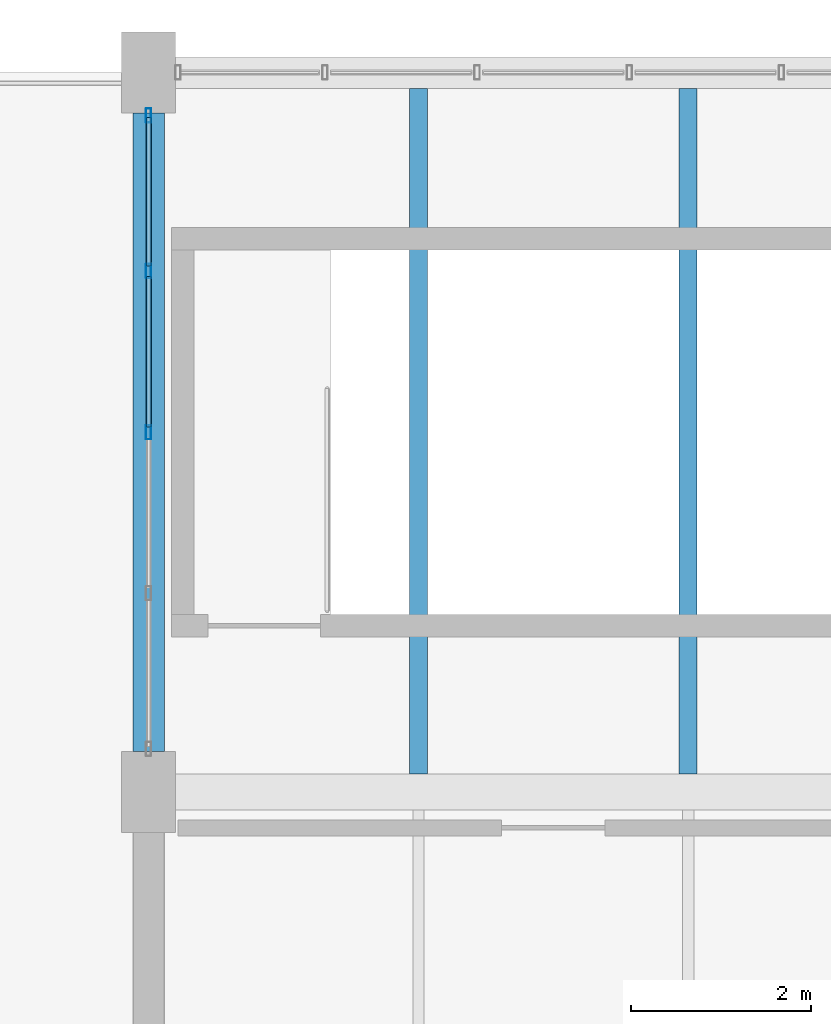
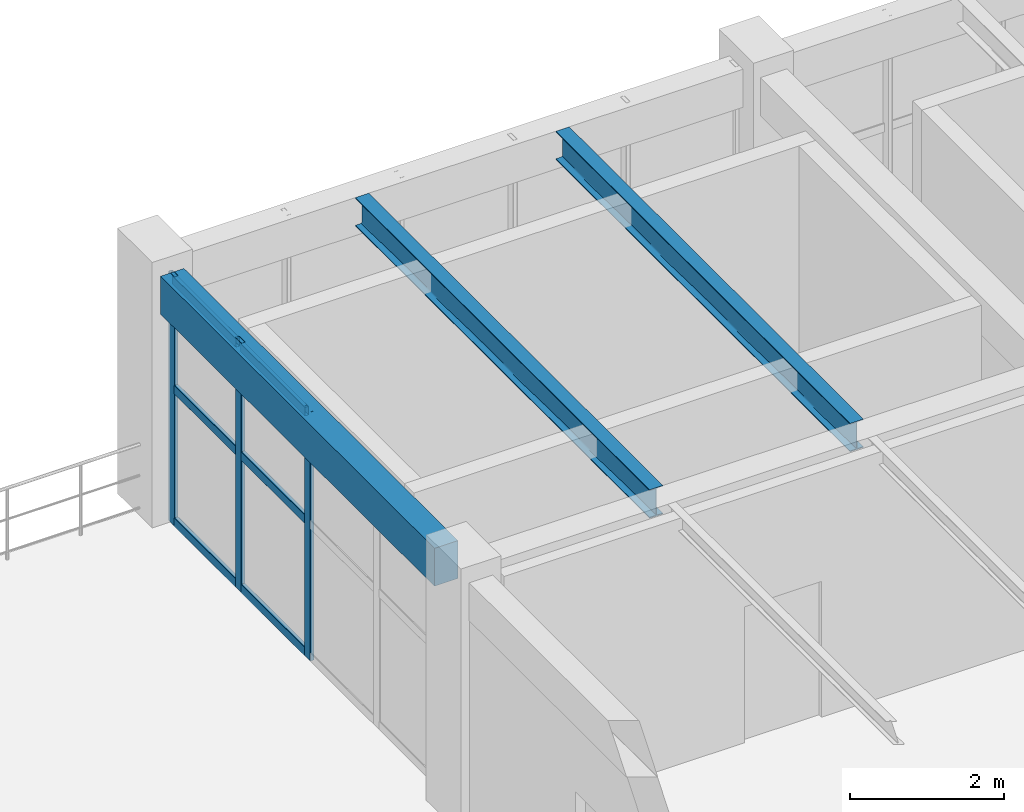
# One storey, part 63 of 148: 9 members, 3 beams, 1 element without a shape of its own.
"""IFC4 building model written with IfcOpenShell, lengths in metres."""

from ifc_helpers import new_model, si_unit, derived_unit, direction, frame, origin, origin_2d, place, context, subcontext, project, spatial, rectangle, hollow_rectangle, i_section, extrude, material, material_profile, profile_set, type_object, element, aggregate, save


model = new_model("IFC4")

# Units and contexts
model_context = context("Model", 3, precision=1e-05, world=origin(), true_north=direction((0.0, 1.0)))
body_context = subcontext(model_context, "Body", "Model", "MODEL_VIEW")
ifc_project = project(units=[si_unit("LENGTHUNIT", "METRE"), si_unit("AREAUNIT", "SQUARE_METRE"), si_unit("VOLUMEUNIT", "CUBIC_METRE"), si_unit("PLANEANGLEUNIT", "RADIAN"), si_unit("MASSUNIT", "GRAM", prefix="KILO"), derived_unit("THERMALTRANSMITTANCEUNIT", [(si_unit("MASSUNIT", "GRAM", prefix="KILO"), 1), (si_unit("TIMEUNIT", "SECOND"), -3), (si_unit("THERMODYNAMICTEMPERATUREUNIT", "KELVIN"), -1)])], contexts=[model_context])

# Site, building, storey
site_placement = place(None, origin())
site = spatial("IfcSite", under=ifc_project, at=site_placement, CompositionType="ELEMENT")
building_placement = place(site_placement, origin())
building = spatial("IfcBuilding", under=site, at=building_placement, Name="Zhenchuan Archway Interchange", CompositionType="ELEMENT")
storey_placement = place(building_placement, frame((0.0, 0.0, 10.199951171875)))
storey = spatial("IfcBuildingStorey", under=building, at=storey_placement, Name="L02", CompositionType="ELEMENT", Elevation=10.199951171875)

# Curtain wall, members
ifc_material_1 = material(Name="Anodised Aluminium", Category="aluminium")
curtain_wall_type = type_object("IfcCurtainWallType", Name="CW_UNIT_3", PredefinedType="NOTDEFINED", material=ifc_material_1)
curtain_wall_placement = place(storey_placement, origin())
curtain_wall = element("IfcCurtainWall", 1, at=curtain_wall_placement, inside=storey, type_object=curtain_wall_type, Name="Unitised curtain wall CW:L02:138", PredefinedType="NOTDEFINED")
ifc_material_profile_1 = material_profile(ifc_material_1, hollow_rectangle(XDim=0.06005859375, YDim=0.159912109375, WallThickness=0.00390625, InnerFilletRadius=0.00390625, OuterFilletRadius=0.008056640625, at=origin_2d()), Name="ALU 160x60x4")
ifc_profile_set_1 = profile_set([ifc_material_profile_1], Name="Anodised Aluminium")
member_type_1 = type_object("IfcMemberType", Name="CW_MUL_150", PredefinedType="MULLION", material=ifc_profile_set_1)
member_1_placement = place(storey_placement, frame((9.0, 108.0, 0.0), z_axis=(0.0, 0.0, 1.0), x_axis=(1.0, 0.0, 0.0)))
member_1 = element("IfcMember", 2, at=member_1_placement, type_object=member_type_1, Name="CW:L02:138 mullion 2", PredefinedType="MULLION", context=body_context, shape_type="SweptSolid", body=[
    extrude(hollow_rectangle(XDim=0.06005859375, YDim=0.159912109375, WallThickness=0.00390625, InnerFilletRadius=0.00390625, OuterFilletRadius=0.008056640625, at=origin_2d()), origin(), (0.0, 0.0, 1.0), 3.93994140625),
])
member_2_placement = place(storey_placement, frame((9.0, 109.791015625, 0.0), z_axis=(0.0, 0.0, 1.0), x_axis=(1.0, 0.0, 0.0)))
member_2 = element("IfcMember", 3, at=member_2_placement, type_object=member_type_1, Name="CW:L02:138 mullion 3", PredefinedType="MULLION", context=body_context, shape_type="SweptSolid", body=[
    extrude(hollow_rectangle(XDim=0.06005859375, YDim=0.159912109375, WallThickness=0.00390625, InnerFilletRadius=0.00390625, OuterFilletRadius=0.008056640625, at=origin_2d()), origin(), (0.0, 0.0, 1.0), 3.93994140625),
])
member_3_placement = place(storey_placement, frame((9.0, 111.52197265625, 0.0), z_axis=(0.0, 0.0, 1.0), x_axis=(1.0, 0.0, 0.0)))
member_3 = element("IfcMember", 4, at=member_3_placement, type_object=member_type_1, Name="CW:L02:138 mullion 4", PredefinedType="MULLION", context=body_context, shape_type="SweptSolid", body=[
    extrude(hollow_rectangle(XDim=0.06005859375, YDim=0.159912109375, WallThickness=0.00390625, InnerFilletRadius=0.00390625, OuterFilletRadius=0.008056640625, at=origin_2d()), origin(), (0.0, 0.0, 1.0), 3.93994140625),
])
ifc_material_profile_2 = material_profile(ifc_material_1, hollow_rectangle(XDim=0.06005859375, YDim=0.139892578125, WallThickness=0.00341796875, InnerFilletRadius=0.00341796875, OuterFilletRadius=0.007080078125, at=origin_2d()), Name="ALU 140x60x3.5")
ifc_profile_set_2 = profile_set([ifc_material_profile_2], Name="Anodised Aluminium")
member_type_2 = type_object("IfcMemberType", Name="CW_TRN_140", PredefinedType="USERDEFINED", material=ifc_profile_set_2)
member_4_placement = place(storey_placement, frame((9.0, 108.06005859375, 0.06005859375), z_axis=(0.0, 1.0, 0.0), x_axis=(-1.0, 0.0, 0.0)))
member_4 = element("IfcMember", 5, at=member_4_placement, type_object=member_type_2, Name="CW:L02:138 transom 2-1", ObjectType="TRANSOM", PredefinedType="USERDEFINED", context=body_context, shape_type="SweptSolid", body=[
    extrude(hollow_rectangle(XDim=0.06005859375, YDim=0.139892578125, WallThickness=0.00341796875, InnerFilletRadius=0.00341796875, OuterFilletRadius=0.007080078125, at=origin_2d()), origin(), (0.0, 0.0, 1.0), 1.6708984375),
])
member_5_placement = place(storey_placement, frame((9.0, 108.06005859375, 2.156005859375), z_axis=(0.0, 1.0, 0.0), x_axis=(-1.0, 0.0, 0.0)))
member_5 = element("IfcMember", 6, at=member_5_placement, type_object=member_type_2, Name="CW:L02:138 transom 2-2", ObjectType="TRANSOM", PredefinedType="USERDEFINED", context=body_context, shape_type="SweptSolid", body=[
    extrude(hollow_rectangle(XDim=0.06005859375, YDim=0.139892578125, WallThickness=0.00341796875, InnerFilletRadius=0.00341796875, OuterFilletRadius=0.007080078125, at=origin_2d()), origin(), (0.0, 0.0, 1.0), 1.6708984375),
])
member_6_placement = place(storey_placement, frame((9.0, 108.06005859375, 3.860107421875), z_axis=(0.0, 1.0, 0.0), x_axis=(-1.0, 0.0, 0.0)))
member_6 = element("IfcMember", 7, at=member_6_placement, type_object=member_type_2, Name="CW:L02:138 transom 2-3", ObjectType="TRANSOM", PredefinedType="USERDEFINED", context=body_context, shape_type="SweptSolid", body=[
    extrude(hollow_rectangle(XDim=0.06005859375, YDim=0.139892578125, WallThickness=0.00341796875, InnerFilletRadius=0.00341796875, OuterFilletRadius=0.007080078125, at=origin_2d()), origin(), (0.0, 0.0, 1.0), 1.6708984375),
])
member_7_placement = place(storey_placement, frame((9.0, 109.85107421875, 0.06005859375), z_axis=(0.0, 1.0, 0.0), x_axis=(-1.0, 0.0, 0.0)))
member_7 = element("IfcMember", 8, at=member_7_placement, type_object=member_type_2, Name="CW:L02:138 transom 3-1", ObjectType="TRANSOM", PredefinedType="USERDEFINED", context=body_context, shape_type="SweptSolid", body=[
    extrude(hollow_rectangle(XDim=0.06005859375, YDim=0.139892578125, WallThickness=0.00341796875, InnerFilletRadius=0.00341796875, OuterFilletRadius=0.007080078125, at=origin_2d()), origin(), (0.0, 0.0, 1.0), 1.65087890625),
])
member_8_placement = place(storey_placement, frame((9.0, 109.85107421875, 2.156005859375), z_axis=(0.0, 1.0, 0.0), x_axis=(-1.0, 0.0, 0.0)))
member_8 = element("IfcMember", 9, at=member_8_placement, type_object=member_type_2, Name="CW:L02:138 transom 3-2", ObjectType="TRANSOM", PredefinedType="USERDEFINED", context=body_context, shape_type="SweptSolid", body=[
    extrude(hollow_rectangle(XDim=0.06005859375, YDim=0.139892578125, WallThickness=0.00341796875, InnerFilletRadius=0.00341796875, OuterFilletRadius=0.007080078125, at=origin_2d()), origin(), (0.0, 0.0, 1.0), 1.65087890625),
])
member_9_placement = place(storey_placement, frame((9.0, 109.85107421875, 3.860107421875), z_axis=(0.0, 1.0, 0.0), x_axis=(-1.0, 0.0, 0.0)))
member_9 = element("IfcMember", 10, at=member_9_placement, type_object=member_type_2, Name="CW:L02:138 transom 3-3", ObjectType="TRANSOM", PredefinedType="USERDEFINED", context=body_context, shape_type="SweptSolid", body=[
    extrude(hollow_rectangle(XDim=0.06005859375, YDim=0.139892578125, WallThickness=0.00341796875, InnerFilletRadius=0.00341796875, OuterFilletRadius=0.007080078125, at=origin_2d()), origin(), (0.0, 0.0, 1.0), 1.65087890625),
])
aggregate(curtain_wall, [member_1, member_2, member_3, member_4, member_5, member_6, member_7, member_8, member_9])

# Beams
ifc_material_2 = material(Name="Steel Q355", Category="steel")
ifc_material_profile_3 = material_profile(ifc_material_2, i_section(OverallWidth=0.199951171875, OverallDepth=0.449951171875, WebThickness=0.009033203125, FlangeThickness=0.013916015625, FilletRadius=0.01806640625, at=origin_2d()), Name="HN 450x200")
ifc_profile_set_3 = profile_set([ifc_material_profile_3], Name="Steel Q355")
beam_type_1 = type_object("IfcBeamType", Name="JST_STL_HN450", PredefinedType="JOIST", material=ifc_profile_set_3)
for number, where, z_axis, x_axis, name in (
    (11, (12.0, 104.199951171875, 3.715087890625), (0.0, 1.0, 0.0), (-1.0, 0.0, 0.0), "Secondary joist 2-3/O-P #1 (L02)"),
    (12, (15.0, 104.199951171875, 3.715087890625), (0.0, 1.0, 0.0), (-1.0, 0.0, 0.0), "Secondary joist 2-3/O-P #2 (L02)"),
):
    element("IfcBeam", number, at=place(storey_placement, frame(where, z_axis=z_axis, x_axis=x_axis)), inside=storey, type_object=beam_type_1, Name=name, PredefinedType="JOIST", context=body_context, shape_type="SweptSolid", body=[
        extrude(i_section(OverallWidth=0.199951171875, OverallDepth=0.449951171875, WebThickness=0.009033203125, FlangeThickness=0.013916015625, FilletRadius=0.01806640625, at=origin_2d()), origin(), (0.0, 0.0, 1.0), 7.625),
    ])
ifc_material_3 = material(Name="Concrete C40", Category="concrete")
ifc_material_profile_4 = material_profile(ifc_material_3, rectangle(XDim=0.35009765625, YDim=0.60009765625, at=origin_2d()), Name="RC 350x600")
ifc_profile_set_4 = profile_set([ifc_material_profile_4], Name="Concrete C40")
beam_type_2 = type_object("IfcBeamType", Name="SP_RC_350x600", PredefinedType="SPANDREL", material=ifc_profile_set_4)
beam_placement = place(storey_placement, frame((9.0, 104.449951171875, 3.64013671875), z_axis=(0.0, 1.0, 0.0), x_axis=(-1.0, 0.0, 0.0)))
element("IfcBeam", 13, at=beam_placement, inside=storey, type_object=beam_type_2, Name="Beam 2:O-P (L02)", PredefinedType="SPANDREL", context=body_context, shape_type="SweptSolid", body=[
    extrude(rectangle(XDim=0.35009765625, YDim=0.60009765625, at=origin_2d()), origin(), (0.0, 0.0, 1.0), 7.10009765625),
])

save(model, "model.ifc")
